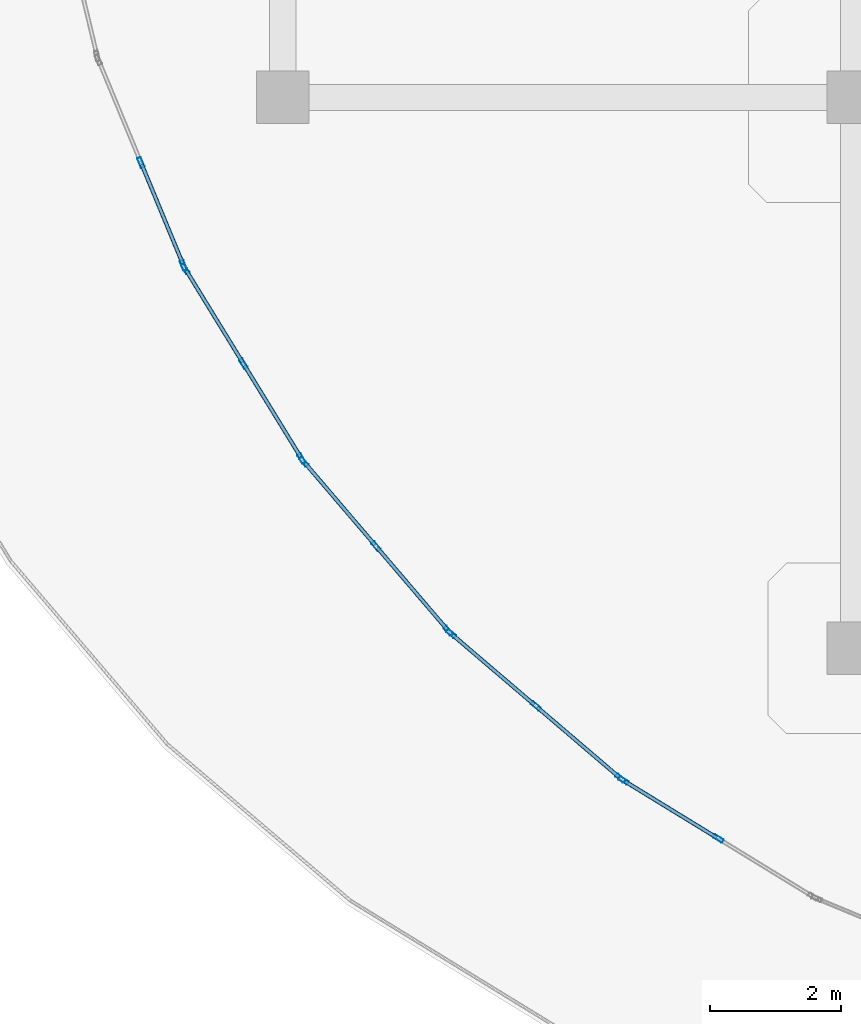
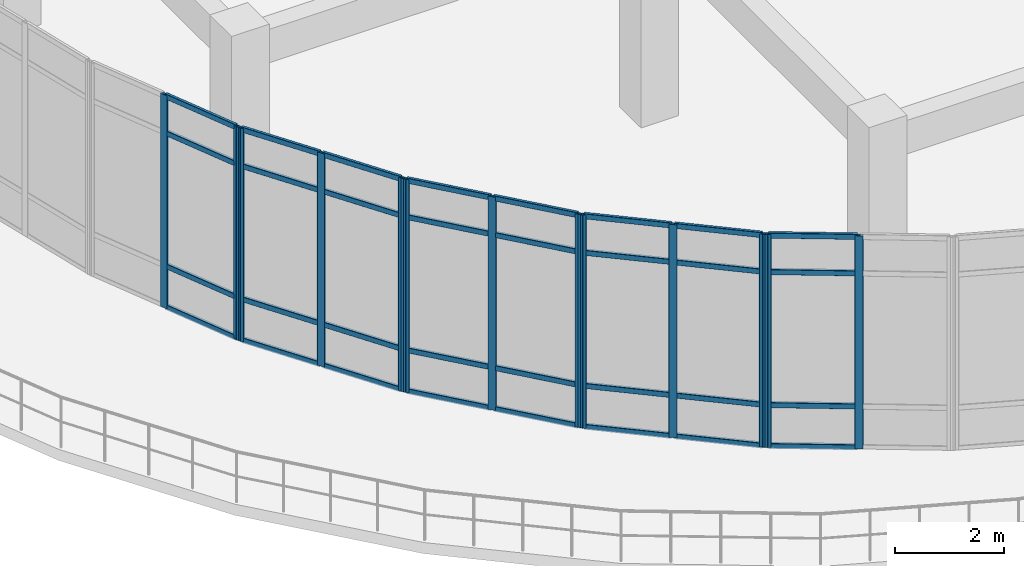
# One storey, part 2 of 124: 45 members, 5 elements without a shape of their own.
"""IFC4 building model written with IfcOpenShell, lengths in metres."""

from ifc_helpers import new_model, si_unit, derived_unit, direction, frame, origin, origin_2d, place, context, subcontext, project, spatial, hollow_rectangle, extrude, material, layer, layer_set, material_profile, profile_set, type_object, element, aggregate, save


model = new_model("IFC4")

# Units and contexts
model_context = context("Model", 3, precision=1e-05, world=origin(), true_north=direction((0.0, 1.0)))
body_context = subcontext(model_context, "Body", "Model", "MODEL_VIEW")
ifc_project = project(units=[si_unit("LENGTHUNIT", "METRE"), si_unit("AREAUNIT", "SQUARE_METRE"), si_unit("VOLUMEUNIT", "CUBIC_METRE"), si_unit("PLANEANGLEUNIT", "RADIAN"), si_unit("MASSUNIT", "GRAM", prefix="KILO"), derived_unit("THERMALTRANSMITTANCEUNIT", [(si_unit("MASSUNIT", "GRAM", prefix="KILO"), 1), (si_unit("TIMEUNIT", "SECOND"), -3), (si_unit("THERMODYNAMICTEMPERATUREUNIT", "KELVIN"), -1)])], contexts=[model_context])

# Site, building, storey
site_placement = place(None, origin())
site = spatial("IfcSite", under=ifc_project, at=site_placement, CompositionType="ELEMENT")
building_placement = place(site_placement, origin())
building = spatial("IfcBuilding", under=site, at=building_placement, Name="Qinzheling Arcade Emporium", CompositionType="ELEMENT")
storey_placement = place(building_placement, frame((0.0, 0.0, 16.5)))
storey = spatial("IfcBuildingStorey", under=building, at=storey_placement, Name="L04", CompositionType="ELEMENT", Elevation=16.5)

# Curtain wall, members
ifc_material_1 = material(Name="Anodised aluminium and solar-control double glazing", Category="aluminium")
ifc_layer = layer(ifc_material_1, 0.159912109375, Name="Anodised aluminium and solar-control double glazing", Category="aluminium")
ifc_layer_set = layer_set([ifc_layer], Name="Anodised aluminium and solar-control double glazing")
curtain_wall_type = type_object("IfcCurtainWallType", Name="Curved Ribbon Sales Curtain Wall", PredefinedType="NOTDEFINED", material=ifc_layer_set)
curtain_wall_1_placement = place(storey_placement, origin())
curtain_wall_1 = element("IfcCurtainWall", 1, at=curtain_wall_1_placement, inside=storey, type_object=curtain_wall_type, Name="Curtain Wall CW-L04-228", PredefinedType="NOTDEFINED")
ifc_material_2 = material(Name="Anodised aluminium 6063-T6", Category="aluminium")
ifc_material_profile_1 = material_profile(ifc_material_2, hollow_rectangle(XDim=0.06005859375, YDim=0.159912109375, WallThickness=0.00390625, InnerFilletRadius=0.00390625, OuterFilletRadius=0.008056640625, at=origin_2d()), Name="RHS 160x60x4", Category="aluminium")
ifc_profile_set_1 = profile_set([ifc_material_profile_1], Name="Anodised aluminium 6063-T6")
member_type_1 = type_object("IfcMemberType", Name="Curtain Wall Mullion RHS160x60", PredefinedType="MULLION", material=ifc_profile_set_1)
member_1_placement = place(storey_placement, frame((15.340576171875, 5.5, 0.0), z_axis=(0.0, 0.0, 1.0), x_axis=(-0.522609609161, -0.852572106283, 0.0)))
member_1 = element("IfcMember", 2, at=member_1_placement, type_object=member_type_1, Name="CW02 mullion 2", PredefinedType="MULLION", context=body_context, shape_type="SweptSolid", body=[
    extrude(hollow_rectangle(XDim=0.06005859375, YDim=0.159912109375, WallThickness=0.00390625, InnerFilletRadius=0.00390625, OuterFilletRadius=0.008056640625, at=origin_2d()), origin(), (0.0, 0.0, 1.0), 4.7900390625),
])
member_2_placement = place(storey_placement, frame((13.89453125, 6.38623046875, 0.0), z_axis=(0.0, 0.0, 1.0), x_axis=(-0.522609609161, -0.852572106283, 0.0)))
member_2 = element("IfcMember", 3, at=member_2_placement, type_object=member_type_1, Name="CW02 mullion 3", PredefinedType="MULLION", context=body_context, shape_type="SweptSolid", body=[
    extrude(hollow_rectangle(XDim=0.06005859375, YDim=0.159912109375, WallThickness=0.00390625, InnerFilletRadius=0.00390625, OuterFilletRadius=0.008056640625, at=origin_2d()), origin(), (0.0, 0.0, 1.0), 4.7900390625),
])

curtain_wall_2_placement = place(storey_placement, origin())
curtain_wall_2 = element("IfcCurtainWall", 4, at=curtain_wall_2_placement, inside=storey, type_object=curtain_wall_type, Name="Curtain Wall CW-L04-229", PredefinedType="NOTDEFINED")
member_3_placement = place(storey_placement, frame((13.84619140625, 6.42138671875, 0.0), z_axis=(0.0, 0.0, 1.0), x_axis=(-0.649454446765, -0.760400500774, 0.0)))
member_3 = element("IfcMember", 5, at=member_3_placement, type_object=member_type_1, Name="CW02 mullion 1", PredefinedType="MULLION", context=body_context, shape_type="SweptSolid", body=[
    extrude(hollow_rectangle(XDim=0.06005859375, YDim=0.159912109375, WallThickness=0.00390625, InnerFilletRadius=0.00390625, OuterFilletRadius=0.008056640625, at=origin_2d()), origin(), (0.0, 0.0, 1.0), 4.7900390625),
])
member_4_placement = place(storey_placement, frame((12.556396484375, 7.52294921875, 0.0), z_axis=(0.0, 0.0, 1.0), x_axis=(-0.649454446765, -0.760400500774, 0.0)))
member_4 = element("IfcMember", 6, at=member_4_placement, type_object=member_type_1, Name="CW02 mullion 2", PredefinedType="MULLION", context=body_context, shape_type="SweptSolid", body=[
    extrude(hollow_rectangle(XDim=0.06005859375, YDim=0.159912109375, WallThickness=0.00390625, InnerFilletRadius=0.00390625, OuterFilletRadius=0.008056640625, at=origin_2d()), origin(), (0.0, 0.0, 1.0), 4.7900390625),
])
member_5_placement = place(storey_placement, frame((11.266845703125, 8.62451171875, 0.0), z_axis=(0.0, 0.0, 1.0), x_axis=(-0.649454446765, -0.760400500774, 0.0)))
member_5 = element("IfcMember", 7, at=member_5_placement, type_object=member_type_1, Name="CW02 mullion 3", PredefinedType="MULLION", context=body_context, shape_type="SweptSolid", body=[
    extrude(hollow_rectangle(XDim=0.06005859375, YDim=0.159912109375, WallThickness=0.00390625, InnerFilletRadius=0.00390625, OuterFilletRadius=0.008056640625, at=origin_2d()), origin(), (0.0, 0.0, 1.0), 4.7900390625),
])

curtain_wall_3_placement = place(storey_placement, origin())
curtain_wall_3 = element("IfcCurtainWall", 8, at=curtain_wall_3_placement, inside=storey, type_object=curtain_wall_type, Name="Curtain Wall CW-L04-230", PredefinedType="NOTDEFINED")
member_6_placement = place(storey_placement, frame((11.224609375, 8.666748046875, 0.0), z_axis=(0.0, 0.0, 1.0), x_axis=(-0.760400500774, -0.649454446765, 0.0)))
member_6 = element("IfcMember", 9, at=member_6_placement, type_object=member_type_1, Name="CW02 mullion 1", PredefinedType="MULLION", context=body_context, shape_type="SweptSolid", body=[
    extrude(hollow_rectangle(XDim=0.06005859375, YDim=0.159912109375, WallThickness=0.00390625, InnerFilletRadius=0.00390625, OuterFilletRadius=0.008056640625, at=origin_2d()), origin(), (0.0, 0.0, 1.0), 4.7900390625),
])
member_7_placement = place(storey_placement, frame((10.123046875, 9.95654296875, 0.0), z_axis=(0.0, 0.0, 1.0), x_axis=(-0.760400500774, -0.649454446765, 0.0)))
member_7 = element("IfcMember", 10, at=member_7_placement, type_object=member_type_1, Name="CW02 mullion 2", PredefinedType="MULLION", context=body_context, shape_type="SweptSolid", body=[
    extrude(hollow_rectangle(XDim=0.06005859375, YDim=0.159912109375, WallThickness=0.00390625, InnerFilletRadius=0.00390625, OuterFilletRadius=0.008056640625, at=origin_2d()), origin(), (0.0, 0.0, 1.0), 4.7900390625),
])
member_8_placement = place(storey_placement, frame((9.021484375, 11.24609375, 0.0), z_axis=(0.0, 0.0, 1.0), x_axis=(-0.760400500774, -0.649454446765, 0.0)))
member_8 = element("IfcMember", 11, at=member_8_placement, type_object=member_type_1, Name="CW02 mullion 3", PredefinedType="MULLION", context=body_context, shape_type="SweptSolid", body=[
    extrude(hollow_rectangle(XDim=0.06005859375, YDim=0.159912109375, WallThickness=0.00390625, InnerFilletRadius=0.00390625, OuterFilletRadius=0.008056640625, at=origin_2d()), origin(), (0.0, 0.0, 1.0), 4.7900390625),
])

curtain_wall_4_placement = place(storey_placement, origin())
curtain_wall_4 = element("IfcCurtainWall", 12, at=curtain_wall_4_placement, inside=storey, type_object=curtain_wall_type, Name="Curtain Wall CW-L04-231", PredefinedType="NOTDEFINED")
member_9_placement = place(storey_placement, frame((8.986328125, 11.294677734375, 0.0), z_axis=(0.0, 0.0, 1.0), x_axis=(-0.852572106283, -0.522609609161, 0.0)))
member_9 = element("IfcMember", 13, at=member_9_placement, type_object=member_type_1, Name="CW02 mullion 1", PredefinedType="MULLION", context=body_context, shape_type="SweptSolid", body=[
    extrude(hollow_rectangle(XDim=0.06005859375, YDim=0.159912109375, WallThickness=0.00390625, InnerFilletRadius=0.00390625, OuterFilletRadius=0.008056640625, at=origin_2d()), origin(), (0.0, 0.0, 1.0), 4.7900390625),
])
member_10_placement = place(storey_placement, frame((8.10009765625, 12.740478515625, 0.0), z_axis=(0.0, 0.0, 1.0), x_axis=(-0.852572106283, -0.522609609161, 0.0)))
member_10 = element("IfcMember", 14, at=member_10_placement, type_object=member_type_1, Name="CW02 mullion 2", PredefinedType="MULLION", context=body_context, shape_type="SweptSolid", body=[
    extrude(hollow_rectangle(XDim=0.06005859375, YDim=0.159912109375, WallThickness=0.00390625, InnerFilletRadius=0.00390625, OuterFilletRadius=0.008056640625, at=origin_2d()), origin(), (0.0, 0.0, 1.0), 4.7900390625),
])
member_11_placement = place(storey_placement, frame((7.213623046875, 14.1865234375, 0.0), z_axis=(0.0, 0.0, 1.0), x_axis=(-0.852572106283, -0.522609609161, 0.0)))
member_11 = element("IfcMember", 15, at=member_11_placement, type_object=member_type_1, Name="CW02 mullion 3", PredefinedType="MULLION", context=body_context, shape_type="SweptSolid", body=[
    extrude(hollow_rectangle(XDim=0.06005859375, YDim=0.159912109375, WallThickness=0.00390625, InnerFilletRadius=0.00390625, OuterFilletRadius=0.008056640625, at=origin_2d()), origin(), (0.0, 0.0, 1.0), 4.7900390625),
])

curtain_wall_5_placement = place(storey_placement, origin())
curtain_wall_5 = element("IfcCurtainWall", 16, at=curtain_wall_5_placement, inside=storey, type_object=curtain_wall_type, Name="Curtain Wall CW-L04-232", PredefinedType="NOTDEFINED")
member_12_placement = place(storey_placement, frame((7.1865234375, 14.23974609375, 0.0), z_axis=(0.0, 0.0, 1.0), x_axis=(-0.923914473777, -0.382599065793, 0.0)))
member_12 = element("IfcMember", 17, at=member_12_placement, type_object=member_type_1, Name="CW02 mullion 1", PredefinedType="MULLION", context=body_context, shape_type="SweptSolid", body=[
    extrude(hollow_rectangle(XDim=0.06005859375, YDim=0.159912109375, WallThickness=0.00390625, InnerFilletRadius=0.00390625, OuterFilletRadius=0.008056640625, at=origin_2d()), origin(), (0.0, 0.0, 1.0), 4.7900390625),
])
member_13_placement = place(storey_placement, frame((6.53759765625, 15.806884765625, 0.0), z_axis=(0.0, 0.0, 1.0), x_axis=(-0.923914473777, -0.382599065793, 0.0)))
member_13 = element("IfcMember", 18, at=member_13_placement, type_object=member_type_1, Name="CW02 mullion 2", PredefinedType="MULLION", context=body_context, shape_type="SweptSolid", body=[
    extrude(hollow_rectangle(XDim=0.06005859375, YDim=0.159912109375, WallThickness=0.00390625, InnerFilletRadius=0.00390625, OuterFilletRadius=0.008056640625, at=origin_2d()), origin(), (0.0, 0.0, 1.0), 4.7900390625),
])

# Member
ifc_material_profile_2 = material_profile(ifc_material_2, hollow_rectangle(XDim=0.06005859375, YDim=0.1201171875, WallThickness=0.00390625, InnerFilletRadius=0.00390625, OuterFilletRadius=0.008056640625, at=origin_2d()), Name="RHS 120x60x4", Category="aluminium")
ifc_profile_set_2 = profile_set([ifc_material_profile_2], Name="Anodised aluminium 6063-T6")
member_type_2 = type_object("IfcMemberType", Name="Curtain Wall Transom RHS120x60", PredefinedType="USERDEFINED", material=ifc_profile_set_2)
member_14_placement = place(storey_placement, frame((15.31494140625, 5.515625, 0.030029296875), z_axis=(-0.852569078743, 0.522614548181, 0.0), x_axis=(-0.522614548181, -0.852569078743, 0.0)))
member_14 = element("IfcMember", 19, at=member_14_placement, type_object=member_type_2, Name="CW02 transom 2.1", ObjectType="TRANSOM", PredefinedType="USERDEFINED", context=body_context, shape_type="SweptSolid", body=[
    extrude(hollow_rectangle(XDim=0.06005859375, YDim=0.1201171875, WallThickness=0.00390625, InnerFilletRadius=0.00390625, OuterFilletRadius=0.008056640625, at=origin_2d()), origin(), (0.0, 0.0, 1.0), 1.635986328125),
])

member_15_placement = place(storey_placement, frame((15.31494140625, 5.515625, 0.949951171875), z_axis=(-0.852569078743, 0.522614548181, 0.0), x_axis=(-0.522614548181, -0.852569078743, 0.0)))
member_15 = element("IfcMember", 20, at=member_15_placement, type_object=member_type_2, Name="CW02 transom 2.2", ObjectType="TRANSOM", PredefinedType="USERDEFINED", context=body_context, shape_type="SweptSolid", body=[
    extrude(hollow_rectangle(XDim=0.06005859375, YDim=0.1201171875, WallThickness=0.00390625, InnerFilletRadius=0.00390625, OuterFilletRadius=0.008056640625, at=origin_2d()), origin(), (0.0, 0.0, 1.0), 1.635986328125),
])

member_16_placement = place(storey_placement, frame((15.31494140625, 5.515625, 3.93994140625), z_axis=(-0.852569078743, 0.522614548181, 0.0), x_axis=(-0.522614548181, -0.852569078743, 0.0)))
member_16 = element("IfcMember", 21, at=member_16_placement, type_object=member_type_2, Name="CW02 transom 2.3", ObjectType="TRANSOM", PredefinedType="USERDEFINED", context=body_context, shape_type="SweptSolid", body=[
    extrude(hollow_rectangle(XDim=0.06005859375, YDim=0.1201171875, WallThickness=0.00390625, InnerFilletRadius=0.00390625, OuterFilletRadius=0.008056640625, at=origin_2d()), origin(), (0.0, 0.0, 1.0), 1.635986328125),
])

member_17_placement = place(storey_placement, frame((15.31494140625, 5.515625, 4.760009765625), z_axis=(-0.852569078743, 0.522614548181, 0.0), x_axis=(-0.522614548181, -0.852569078743, 0.0)))
member_17 = element("IfcMember", 22, at=member_17_placement, type_object=member_type_2, Name="CW02 transom 2.4", ObjectType="TRANSOM", PredefinedType="USERDEFINED", context=body_context, shape_type="SweptSolid", body=[
    extrude(hollow_rectangle(XDim=0.06005859375, YDim=0.1201171875, WallThickness=0.00390625, InnerFilletRadius=0.00390625, OuterFilletRadius=0.008056640625, at=origin_2d()), origin(), (0.0, 0.0, 1.0), 1.635986328125),
])

aggregate(curtain_wall_1, [member_1, member_2, member_14, member_15, member_16, member_17])

member_18_placement = place(storey_placement, frame((13.823486328125, 6.44091796875, 0.030029296875), z_axis=(-0.760435086089, 0.649413951071, 0.0), x_axis=(-0.649413951071, -0.760435086089, 0.0)))
member_18 = element("IfcMember", 23, at=member_18_placement, type_object=member_type_2, Name="CW02 transom 1.1", ObjectType="TRANSOM", PredefinedType="USERDEFINED", context=body_context, shape_type="SweptSolid", body=[
    extrude(hollow_rectangle(XDim=0.06005859375, YDim=0.1201171875, WallThickness=0.00390625, InnerFilletRadius=0.00390625, OuterFilletRadius=0.008056640625, at=origin_2d()), origin(), (0.0, 0.0, 1.0), 1.635986328125),
])

member_19_placement = place(storey_placement, frame((13.823486328125, 6.44091796875, 0.949951171875), z_axis=(-0.760435086089, 0.649413951071, 0.0), x_axis=(-0.649413951071, -0.760435086089, 0.0)))
member_19 = element("IfcMember", 24, at=member_19_placement, type_object=member_type_2, Name="CW02 transom 1.2", ObjectType="TRANSOM", PredefinedType="USERDEFINED", context=body_context, shape_type="SweptSolid", body=[
    extrude(hollow_rectangle(XDim=0.06005859375, YDim=0.1201171875, WallThickness=0.00390625, InnerFilletRadius=0.00390625, OuterFilletRadius=0.008056640625, at=origin_2d()), origin(), (0.0, 0.0, 1.0), 1.635986328125),
])

member_20_placement = place(storey_placement, frame((13.823486328125, 6.44091796875, 3.93994140625), z_axis=(-0.760435086089, 0.649413951071, 0.0), x_axis=(-0.649413951071, -0.760435086089, 0.0)))
member_20 = element("IfcMember", 25, at=member_20_placement, type_object=member_type_2, Name="CW02 transom 1.3", ObjectType="TRANSOM", PredefinedType="USERDEFINED", context=body_context, shape_type="SweptSolid", body=[
    extrude(hollow_rectangle(XDim=0.06005859375, YDim=0.1201171875, WallThickness=0.00390625, InnerFilletRadius=0.00390625, OuterFilletRadius=0.008056640625, at=origin_2d()), origin(), (0.0, 0.0, 1.0), 1.635986328125),
])

member_21_placement = place(storey_placement, frame((13.823486328125, 6.44091796875, 4.760009765625), z_axis=(-0.760435086089, 0.649413951071, 0.0), x_axis=(-0.649413951071, -0.760435086089, 0.0)))
member_21 = element("IfcMember", 26, at=member_21_placement, type_object=member_type_2, Name="CW02 transom 1.4", ObjectType="TRANSOM", PredefinedType="USERDEFINED", context=body_context, shape_type="SweptSolid", body=[
    extrude(hollow_rectangle(XDim=0.06005859375, YDim=0.1201171875, WallThickness=0.00390625, InnerFilletRadius=0.00390625, OuterFilletRadius=0.008056640625, at=origin_2d()), origin(), (0.0, 0.0, 1.0), 1.635986328125),
])

member_22_placement = place(storey_placement, frame((12.53369140625, 7.54248046875, 0.030029296875), z_axis=(-0.760435086089, 0.649413951071, 0.0), x_axis=(-0.649413951071, -0.760435086089, 0.0)))
member_22 = element("IfcMember", 27, at=member_22_placement, type_object=member_type_2, Name="CW02 transom 2.1", ObjectType="TRANSOM", PredefinedType="USERDEFINED", context=body_context, shape_type="SweptSolid", body=[
    extrude(hollow_rectangle(XDim=0.06005859375, YDim=0.1201171875, WallThickness=0.00390625, InnerFilletRadius=0.00390625, OuterFilletRadius=0.008056640625, at=origin_2d()), origin(), (0.0, 0.0, 1.0), 1.635986328125),
])

member_23_placement = place(storey_placement, frame((12.53369140625, 7.54248046875, 0.949951171875), z_axis=(-0.760435086089, 0.649413951071, 0.0), x_axis=(-0.649413951071, -0.760435086089, 0.0)))
member_23 = element("IfcMember", 28, at=member_23_placement, type_object=member_type_2, Name="CW02 transom 2.2", ObjectType="TRANSOM", PredefinedType="USERDEFINED", context=body_context, shape_type="SweptSolid", body=[
    extrude(hollow_rectangle(XDim=0.06005859375, YDim=0.1201171875, WallThickness=0.00390625, InnerFilletRadius=0.00390625, OuterFilletRadius=0.008056640625, at=origin_2d()), origin(), (0.0, 0.0, 1.0), 1.635986328125),
])

member_24_placement = place(storey_placement, frame((12.53369140625, 7.54248046875, 3.93994140625), z_axis=(-0.760435086089, 0.649413951071, 0.0), x_axis=(-0.649413951071, -0.760435086089, 0.0)))
member_24 = element("IfcMember", 29, at=member_24_placement, type_object=member_type_2, Name="CW02 transom 2.3", ObjectType="TRANSOM", PredefinedType="USERDEFINED", context=body_context, shape_type="SweptSolid", body=[
    extrude(hollow_rectangle(XDim=0.06005859375, YDim=0.1201171875, WallThickness=0.00390625, InnerFilletRadius=0.00390625, OuterFilletRadius=0.008056640625, at=origin_2d()), origin(), (0.0, 0.0, 1.0), 1.635986328125),
])

member_25_placement = place(storey_placement, frame((12.53369140625, 7.54248046875, 4.760009765625), z_axis=(-0.760435086089, 0.649413951071, 0.0), x_axis=(-0.649413951071, -0.760435086089, 0.0)))
member_25 = element("IfcMember", 30, at=member_25_placement, type_object=member_type_2, Name="CW02 transom 2.4", ObjectType="TRANSOM", PredefinedType="USERDEFINED", context=body_context, shape_type="SweptSolid", body=[
    extrude(hollow_rectangle(XDim=0.06005859375, YDim=0.1201171875, WallThickness=0.00390625, InnerFilletRadius=0.00390625, OuterFilletRadius=0.008056640625, at=origin_2d()), origin(), (0.0, 0.0, 1.0), 1.635986328125),
])

aggregate(curtain_wall_2, [member_3, member_4, member_5, member_18, member_19, member_20, member_21, member_22, member_23, member_24, member_25])

member_26_placement = place(storey_placement, frame((11.205078125, 8.689697265625, 0.030029296875), z_axis=(-0.649487647729, 0.760372142735, 0.0), x_axis=(-0.760372142735, -0.649487647729, 0.0)))
member_26 = element("IfcMember", 31, at=member_26_placement, type_object=member_type_2, Name="CW02 transom 1.1", ObjectType="TRANSOM", PredefinedType="USERDEFINED", context=body_context, shape_type="SweptSolid", body=[
    extrude(hollow_rectangle(XDim=0.06005859375, YDim=0.1201171875, WallThickness=0.00390625, InnerFilletRadius=0.00390625, OuterFilletRadius=0.008056640625, at=origin_2d()), origin(), (0.0, 0.0, 1.0), 1.635986328125),
])

member_27_placement = place(storey_placement, frame((11.205078125, 8.689697265625, 0.949951171875), z_axis=(-0.649487647729, 0.760372142735, 0.0), x_axis=(-0.760372142735, -0.649487647729, 0.0)))
member_27 = element("IfcMember", 32, at=member_27_placement, type_object=member_type_2, Name="CW02 transom 1.2", ObjectType="TRANSOM", PredefinedType="USERDEFINED", context=body_context, shape_type="SweptSolid", body=[
    extrude(hollow_rectangle(XDim=0.06005859375, YDim=0.1201171875, WallThickness=0.00390625, InnerFilletRadius=0.00390625, OuterFilletRadius=0.008056640625, at=origin_2d()), origin(), (0.0, 0.0, 1.0), 1.635986328125),
])

member_28_placement = place(storey_placement, frame((11.205078125, 8.689697265625, 3.93994140625), z_axis=(-0.649487647729, 0.760372142735, 0.0), x_axis=(-0.760372142735, -0.649487647729, 0.0)))
member_28 = element("IfcMember", 33, at=member_28_placement, type_object=member_type_2, Name="CW02 transom 1.3", ObjectType="TRANSOM", PredefinedType="USERDEFINED", context=body_context, shape_type="SweptSolid", body=[
    extrude(hollow_rectangle(XDim=0.06005859375, YDim=0.1201171875, WallThickness=0.00390625, InnerFilletRadius=0.00390625, OuterFilletRadius=0.008056640625, at=origin_2d()), origin(), (0.0, 0.0, 1.0), 1.635986328125),
])

member_29_placement = place(storey_placement, frame((11.205078125, 8.689697265625, 4.760009765625), z_axis=(-0.649487647729, 0.760372142735, 0.0), x_axis=(-0.760372142735, -0.649487647729, 0.0)))
member_29 = element("IfcMember", 34, at=member_29_placement, type_object=member_type_2, Name="CW02 transom 1.4", ObjectType="TRANSOM", PredefinedType="USERDEFINED", context=body_context, shape_type="SweptSolid", body=[
    extrude(hollow_rectangle(XDim=0.06005859375, YDim=0.1201171875, WallThickness=0.00390625, InnerFilletRadius=0.00390625, OuterFilletRadius=0.008056640625, at=origin_2d()), origin(), (0.0, 0.0, 1.0), 1.635986328125),
])

member_30_placement = place(storey_placement, frame((10.103515625, 9.979248046875, 0.030029296875), z_axis=(-0.649413951071, 0.760435086089, 0.0), x_axis=(-0.760435086089, -0.649413951071, 0.0)))
member_30 = element("IfcMember", 35, at=member_30_placement, type_object=member_type_2, Name="CW02 transom 2.1", ObjectType="TRANSOM", PredefinedType="USERDEFINED", context=body_context, shape_type="SweptSolid", body=[
    extrude(hollow_rectangle(XDim=0.06005859375, YDim=0.1201171875, WallThickness=0.00390625, InnerFilletRadius=0.00390625, OuterFilletRadius=0.008056640625, at=origin_2d()), origin(), (0.0, 0.0, 1.0), 1.635986328125),
])

member_31_placement = place(storey_placement, frame((10.103515625, 9.979248046875, 0.949951171875), z_axis=(-0.649413951071, 0.760435086089, 0.0), x_axis=(-0.760435086089, -0.649413951071, 0.0)))
member_31 = element("IfcMember", 36, at=member_31_placement, type_object=member_type_2, Name="CW02 transom 2.2", ObjectType="TRANSOM", PredefinedType="USERDEFINED", context=body_context, shape_type="SweptSolid", body=[
    extrude(hollow_rectangle(XDim=0.06005859375, YDim=0.1201171875, WallThickness=0.00390625, InnerFilletRadius=0.00390625, OuterFilletRadius=0.008056640625, at=origin_2d()), origin(), (0.0, 0.0, 1.0), 1.635986328125),
])

member_32_placement = place(storey_placement, frame((10.103515625, 9.979248046875, 3.93994140625), z_axis=(-0.649413951071, 0.760435086089, 0.0), x_axis=(-0.760435086089, -0.649413951071, 0.0)))
member_32 = element("IfcMember", 37, at=member_32_placement, type_object=member_type_2, Name="CW02 transom 2.3", ObjectType="TRANSOM", PredefinedType="USERDEFINED", context=body_context, shape_type="SweptSolid", body=[
    extrude(hollow_rectangle(XDim=0.06005859375, YDim=0.1201171875, WallThickness=0.00390625, InnerFilletRadius=0.00390625, OuterFilletRadius=0.008056640625, at=origin_2d()), origin(), (0.0, 0.0, 1.0), 1.635986328125),
])

member_33_placement = place(storey_placement, frame((10.103515625, 9.979248046875, 4.760009765625), z_axis=(-0.649413951071, 0.760435086089, 0.0), x_axis=(-0.760435086089, -0.649413951071, 0.0)))
member_33 = element("IfcMember", 38, at=member_33_placement, type_object=member_type_2, Name="CW02 transom 2.4", ObjectType="TRANSOM", PredefinedType="USERDEFINED", context=body_context, shape_type="SweptSolid", body=[
    extrude(hollow_rectangle(XDim=0.06005859375, YDim=0.1201171875, WallThickness=0.00390625, InnerFilletRadius=0.00390625, OuterFilletRadius=0.008056640625, at=origin_2d()), origin(), (0.0, 0.0, 1.0), 1.635986328125),
])

aggregate(curtain_wall_3, [member_6, member_7, member_8, member_26, member_27, member_28, member_29, member_30, member_31, member_32, member_33])

member_34_placement = place(storey_placement, frame((8.970703125, 11.320068359375, 0.030029296875), z_axis=(-0.522614548181, 0.852569078743, 0.0), x_axis=(-0.852569078743, -0.522614548181, 0.0)))
member_34 = element("IfcMember", 39, at=member_34_placement, type_object=member_type_2, Name="CW02 transom 1.1", ObjectType="TRANSOM", PredefinedType="USERDEFINED", context=body_context, shape_type="SweptSolid", body=[
    extrude(hollow_rectangle(XDim=0.06005859375, YDim=0.1201171875, WallThickness=0.00390625, InnerFilletRadius=0.00390625, OuterFilletRadius=0.008056640625, at=origin_2d()), origin(), (0.0, 0.0, 1.0), 1.635986328125),
])

member_35_placement = place(storey_placement, frame((8.970703125, 11.320068359375, 0.949951171875), z_axis=(-0.522614548181, 0.852569078743, 0.0), x_axis=(-0.852569078743, -0.522614548181, 0.0)))
member_35 = element("IfcMember", 40, at=member_35_placement, type_object=member_type_2, Name="CW02 transom 1.2", ObjectType="TRANSOM", PredefinedType="USERDEFINED", context=body_context, shape_type="SweptSolid", body=[
    extrude(hollow_rectangle(XDim=0.06005859375, YDim=0.1201171875, WallThickness=0.00390625, InnerFilletRadius=0.00390625, OuterFilletRadius=0.008056640625, at=origin_2d()), origin(), (0.0, 0.0, 1.0), 1.635986328125),
])

member_36_placement = place(storey_placement, frame((8.970703125, 11.320068359375, 3.93994140625), z_axis=(-0.522614548181, 0.852569078743, 0.0), x_axis=(-0.852569078743, -0.522614548181, 0.0)))
member_36 = element("IfcMember", 41, at=member_36_placement, type_object=member_type_2, Name="CW02 transom 1.3", ObjectType="TRANSOM", PredefinedType="USERDEFINED", context=body_context, shape_type="SweptSolid", body=[
    extrude(hollow_rectangle(XDim=0.06005859375, YDim=0.1201171875, WallThickness=0.00390625, InnerFilletRadius=0.00390625, OuterFilletRadius=0.008056640625, at=origin_2d()), origin(), (0.0, 0.0, 1.0), 1.635986328125),
])

member_37_placement = place(storey_placement, frame((8.970703125, 11.320068359375, 4.760009765625), z_axis=(-0.522614548181, 0.852569078743, 0.0), x_axis=(-0.852569078743, -0.522614548181, 0.0)))
member_37 = element("IfcMember", 42, at=member_37_placement, type_object=member_type_2, Name="CW02 transom 1.4", ObjectType="TRANSOM", PredefinedType="USERDEFINED", context=body_context, shape_type="SweptSolid", body=[
    extrude(hollow_rectangle(XDim=0.06005859375, YDim=0.1201171875, WallThickness=0.00390625, InnerFilletRadius=0.00390625, OuterFilletRadius=0.008056640625, at=origin_2d()), origin(), (0.0, 0.0, 1.0), 1.635986328125),
])

member_38_placement = place(storey_placement, frame((8.084228515625, 12.76611328125, 0.030029296875), z_axis=(-0.522614548181, 0.852569078743, 0.0), x_axis=(-0.852569078743, -0.522614548181, 0.0)))
member_38 = element("IfcMember", 43, at=member_38_placement, type_object=member_type_2, Name="CW02 transom 2.1", ObjectType="TRANSOM", PredefinedType="USERDEFINED", context=body_context, shape_type="SweptSolid", body=[
    extrude(hollow_rectangle(XDim=0.06005859375, YDim=0.1201171875, WallThickness=0.00390625, InnerFilletRadius=0.00390625, OuterFilletRadius=0.008056640625, at=origin_2d()), origin(), (0.0, 0.0, 1.0), 1.635986328125),
])

member_39_placement = place(storey_placement, frame((8.084228515625, 12.76611328125, 0.949951171875), z_axis=(-0.522614548181, 0.852569078743, 0.0), x_axis=(-0.852569078743, -0.522614548181, 0.0)))
member_39 = element("IfcMember", 44, at=member_39_placement, type_object=member_type_2, Name="CW02 transom 2.2", ObjectType="TRANSOM", PredefinedType="USERDEFINED", context=body_context, shape_type="SweptSolid", body=[
    extrude(hollow_rectangle(XDim=0.06005859375, YDim=0.1201171875, WallThickness=0.00390625, InnerFilletRadius=0.00390625, OuterFilletRadius=0.008056640625, at=origin_2d()), origin(), (0.0, 0.0, 1.0), 1.635986328125),
])

member_40_placement = place(storey_placement, frame((8.084228515625, 12.76611328125, 3.93994140625), z_axis=(-0.522614548181, 0.852569078743, 0.0), x_axis=(-0.852569078743, -0.522614548181, 0.0)))
member_40 = element("IfcMember", 45, at=member_40_placement, type_object=member_type_2, Name="CW02 transom 2.3", ObjectType="TRANSOM", PredefinedType="USERDEFINED", context=body_context, shape_type="SweptSolid", body=[
    extrude(hollow_rectangle(XDim=0.06005859375, YDim=0.1201171875, WallThickness=0.00390625, InnerFilletRadius=0.00390625, OuterFilletRadius=0.008056640625, at=origin_2d()), origin(), (0.0, 0.0, 1.0), 1.635986328125),
])

member_41_placement = place(storey_placement, frame((8.084228515625, 12.76611328125, 4.760009765625), z_axis=(-0.522614548181, 0.852569078743, 0.0), x_axis=(-0.852569078743, -0.522614548181, 0.0)))
member_41 = element("IfcMember", 46, at=member_41_placement, type_object=member_type_2, Name="CW02 transom 2.4", ObjectType="TRANSOM", PredefinedType="USERDEFINED", context=body_context, shape_type="SweptSolid", body=[
    extrude(hollow_rectangle(XDim=0.06005859375, YDim=0.1201171875, WallThickness=0.00390625, InnerFilletRadius=0.00390625, OuterFilletRadius=0.008056640625, at=origin_2d()), origin(), (0.0, 0.0, 1.0), 1.635986328125),
])

aggregate(curtain_wall_4, [member_9, member_10, member_11, member_34, member_35, member_36, member_37, member_38, member_39, member_40, member_41])

member_42_placement = place(storey_placement, frame((7.175048828125, 14.267333984375, 0.030029296875), z_axis=(-0.382527483638, 0.92394411317, 0.0), x_axis=(-0.92394411317, -0.382527483638, 0.0)))
member_42 = element("IfcMember", 47, at=member_42_placement, type_object=member_type_2, Name="CW02 transom 1.1", ObjectType="TRANSOM", PredefinedType="USERDEFINED", context=body_context, shape_type="SweptSolid", body=[
    extrude(hollow_rectangle(XDim=0.06005859375, YDim=0.1201171875, WallThickness=0.00390625, InnerFilletRadius=0.00390625, OuterFilletRadius=0.008056640625, at=origin_2d()), origin(), (0.0, 0.0, 1.0), 1.636474609375),
])

member_43_placement = place(storey_placement, frame((7.175048828125, 14.267333984375, 0.949951171875), z_axis=(-0.382527483638, 0.92394411317, 0.0), x_axis=(-0.92394411317, -0.382527483638, 0.0)))
member_43 = element("IfcMember", 48, at=member_43_placement, type_object=member_type_2, Name="CW02 transom 1.2", ObjectType="TRANSOM", PredefinedType="USERDEFINED", context=body_context, shape_type="SweptSolid", body=[
    extrude(hollow_rectangle(XDim=0.06005859375, YDim=0.1201171875, WallThickness=0.00390625, InnerFilletRadius=0.00390625, OuterFilletRadius=0.008056640625, at=origin_2d()), origin(), (0.0, 0.0, 1.0), 1.636474609375),
])

member_44_placement = place(storey_placement, frame((7.175048828125, 14.267333984375, 3.93994140625), z_axis=(-0.382527483638, 0.92394411317, 0.0), x_axis=(-0.92394411317, -0.382527483638, 0.0)))
member_44 = element("IfcMember", 49, at=member_44_placement, type_object=member_type_2, Name="CW02 transom 1.3", ObjectType="TRANSOM", PredefinedType="USERDEFINED", context=body_context, shape_type="SweptSolid", body=[
    extrude(hollow_rectangle(XDim=0.06005859375, YDim=0.1201171875, WallThickness=0.00390625, InnerFilletRadius=0.00390625, OuterFilletRadius=0.008056640625, at=origin_2d()), origin(), (0.0, 0.0, 1.0), 1.636474609375),
])

member_45_placement = place(storey_placement, frame((7.175048828125, 14.267333984375, 4.760009765625), z_axis=(-0.382527483638, 0.92394411317, 0.0), x_axis=(-0.92394411317, -0.382527483638, 0.0)))
member_45 = element("IfcMember", 50, at=member_45_placement, type_object=member_type_2, Name="CW02 transom 1.4", ObjectType="TRANSOM", PredefinedType="USERDEFINED", context=body_context, shape_type="SweptSolid", body=[
    extrude(hollow_rectangle(XDim=0.06005859375, YDim=0.1201171875, WallThickness=0.00390625, InnerFilletRadius=0.00390625, OuterFilletRadius=0.008056640625, at=origin_2d()), origin(), (0.0, 0.0, 1.0), 1.636474609375),
])

aggregate(curtain_wall_5, [member_12, member_13, member_42, member_43, member_44, member_45])

save(model, "model.ifc")
